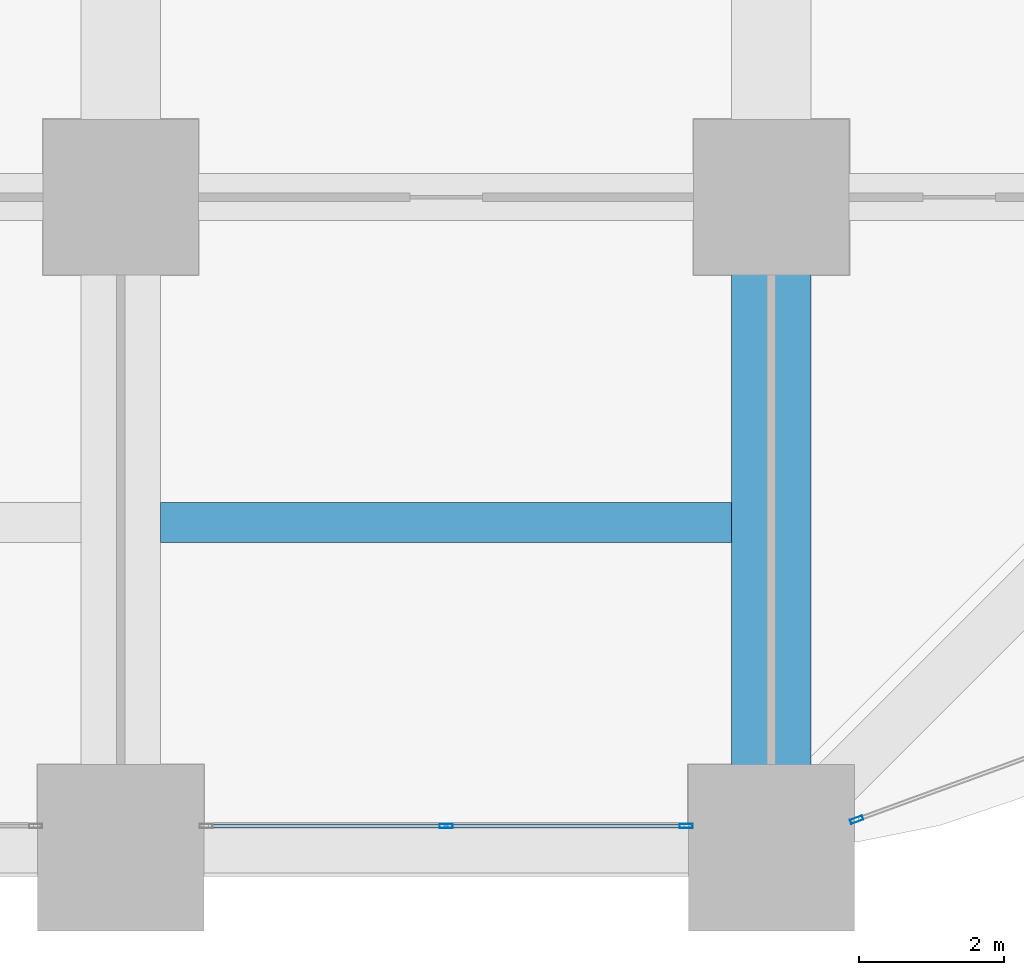
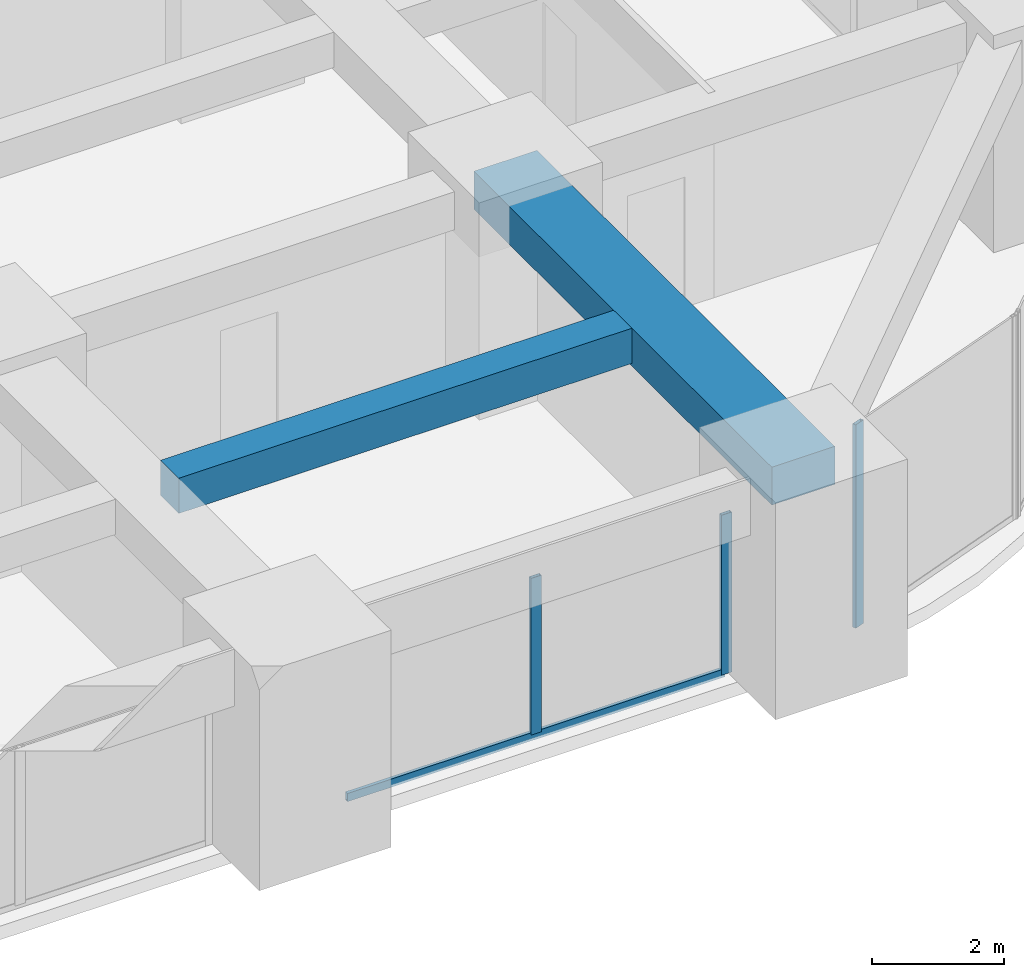
# One storey, part 15 of 44: 4 members, 2 beams, 2 elements without a shape of their own.
"""IFC4 building model written with IfcOpenShell, lengths in metres."""

import ifcopenshell
import ifcopenshell.guid

model = None  # the IFC model being written
_history = None  # IfcOwnerHistory: only IFC2X3 demands one
_inside = {}  # id of a spatial element -> (the spatial element, [elements in it])
_under = {}  # id of a project, library or spatial element -> (it, [spatial elements below it])
_declared = {}  # id of a project -> (the project, [libraries it declares])
_typed = {}  # id of a type object -> (the type object, [elements of that type])
_made_of = {}  # id of a material, layer set ... -> (it, [elements and type objects made of it])


def new_model(schema):
    """Start an empty IFC model of exactly this schema.

    Asked for "IFC4X3", IfcOpenShell would pick the latest addendum, in which some entities
    have other attributes; the version numbers below select the first issue.
    IFC2X3 requires an IfcOwnerHistory on every rooted entity: one is made here for all.
    """
    global model, _history
    if schema == "IFC4X3":
        model = ifcopenshell.file(schema_version=(4, 3, 0, 0))
    else:
        model = ifcopenshell.file(schema=schema)
    _inside.clear()
    _under.clear()
    _declared.clear()
    _typed.clear()
    _made_of.clear()
    _history = None
    if model.schema == "IFC2X3":
        org = make("IfcOrganization", Name="unknown")
        user = make(
            "IfcPersonAndOrganization",
            ThePerson=make("IfcPerson", FamilyName="unknown"),
            TheOrganization=org,
        )
        app = make(
            "IfcApplication",
            ApplicationDeveloper=org,
            Version="unknown",
            ApplicationFullName="unknown",
            ApplicationIdentifier="unknown",
        )
        _history = make(
            "IfcOwnerHistory",
            OwningUser=user,
            OwningApplication=app,
            ChangeAction="ADDED",
            CreationDate=0,
        )
    return model


def make(cls, **values):
    """One entity of the class cls with the attributes given. An attribute that is None is left unset."""
    return model.create_entity(
        cls, **{name: value for name, value in values.items() if value is not None}
    )


def rooted(cls, **values):
    """An entity with a GlobalId (a new one), such as an element, a storey or a relation."""
    return make(cls, GlobalId=ifcopenshell.guid.new(), OwnerHistory=_history, **values)


def si_unit(unit_type, name, prefix=None):
    """IfcSIUnit, for example si_unit("LENGTHUNIT", "METRE", prefix="MILLI")."""
    return make("IfcSIUnit", UnitType=unit_type, Prefix=prefix, Name=name)


def assignment(units):
    """IfcUnitAssignment: the units of a project."""
    return None if units is None else make("IfcUnitAssignment", Units=units)


def point(xyz):
    """IfcCartesianPoint."""
    return None if xyz is None else make("IfcCartesianPoint", Coordinates=xyz)


def direction(xyz):
    """IfcDirection."""
    return None if xyz is None else make("IfcDirection", DirectionRatios=xyz)


def frame(location, z_axis=None, x_axis=None):
    """IfcAxis2Placement3D, a coordinate frame: its origin and axes. An axis left out is left unset."""
    return make(
        "IfcAxis2Placement3D",
        Location=point(location),
        Axis=direction(z_axis),
        RefDirection=direction(x_axis),
    )


def frame_2d(location, x_axis=None):
    """IfcAxis2Placement2D, a coordinate frame in the plane: its origin and x axis."""
    return make(
        "IfcAxis2Placement2D", Location=point(location), RefDirection=direction(x_axis)
    )


def origin():
    """The frame at (0, 0, 0) with its axes left unset."""
    return frame((0.0, 0.0, 0.0))


def origin_2d():
    """The frame at (0, 0) in the plane with its x axis left unset."""
    return frame_2d((0.0, 0.0))


def place(relative_to, where):
    """IfcLocalPlacement: puts the frame where relative to a parent placement (None: the world)."""
    return make(
        "IfcLocalPlacement", PlacementRelTo=relative_to, RelativePlacement=where
    )


def context(
    kind, dimensions, precision=None, world=None, true_north=None, identifier=None
):
    """IfcGeometricRepresentationContext, for example the 3D "Model" context."""
    return make(
        "IfcGeometricRepresentationContext",
        ContextIdentifier=identifier,
        ContextType=kind,
        CoordinateSpaceDimension=dimensions,
        Precision=precision,
        WorldCoordinateSystem=world,
        TrueNorth=true_north,
    )


def subcontext(parent, identifier, kind, view, scale=None):
    """IfcGeometricRepresentationSubContext, for example "Body" below "Model"."""
    return make(
        "IfcGeometricRepresentationSubContext",
        ContextIdentifier=identifier,
        ContextType=kind,
        ParentContext=parent,
        TargetScale=scale,
        TargetView=view,
    )


def project(units=None, contexts=None):
    """IfcProject with its units and contexts."""
    return rooted(
        "IfcProject",
        Name="project",
        RepresentationContexts=contexts,
        UnitsInContext=assignment(units),
    )


def spatial(cls, under=None, at=None, **own):
    """A site, building, storey or space (cls), placed at a placement, below another one or the project."""
    s = rooted(cls, ObjectPlacement=at, **own)
    if under is not None:
        _under.setdefault(under.id(), (under, []))[1].append(s)
    return s


def profile(cls, at=None, kind="AREA", **sizes):
    """A parametric profile (cls). Its sizes go by their IFC names, for example OverallWidth=200.0."""
    return make(cls, ProfileType=kind, Position=at, **sizes)


def rectangle(**sizes):
    """IfcRectangleProfileDef."""
    return profile("IfcRectangleProfileDef", **sizes)


def hollow_rectangle(**sizes):
    """IfcRectangleHollowProfileDef."""
    return profile("IfcRectangleHollowProfileDef", **sizes)


def extrude(swept, where, along, depth):
    """IfcExtrudedAreaSolid: the profile swept, set in the frame where, extruded along a direction by depth."""
    return make(
        "IfcExtrudedAreaSolid",
        SweptArea=swept,
        Position=where,
        ExtrudedDirection=direction(along),
        Depth=depth,
    )


def shape(context_of_items, identifier, shape_type, items):
    """IfcShapeRepresentation: the items that make up one representation, for example the "Body"."""
    return make(
        "IfcShapeRepresentation",
        ContextOfItems=context_of_items,
        RepresentationIdentifier=identifier,
        RepresentationType=shape_type,
        Items=items,
    )


def material(Name=None, Category=None):
    """IfcMaterial."""
    return make("IfcMaterial", Name=Name, Category=Category)


def material_profile(
    of_material, cross_section, Name=None, Category=None, Priority=None
):
    """IfcMaterialProfile: a cross section and its material."""
    return make(
        "IfcMaterialProfile",
        Name=Name,
        Material=of_material,
        Profile=cross_section,
        Priority=Priority,
        Category=Category,
    )


def profile_set(profiles, Name=None, composite=None):
    """IfcMaterialProfileSet."""
    return make(
        "IfcMaterialProfileSet",
        Name=Name,
        MaterialProfiles=profiles,
        CompositeProfile=composite,
    )


def made_of(thing, what):
    """Note that an element or type object is made of a material, layer set ...; save() writes the relation."""
    if what is not None:
        _made_of.setdefault(what.id(), (what, []))[1].append(thing)
    return thing


def type_object(cls, material=None, **own):
    """A type object (cls), such as IfcWallType, which elements share."""
    return made_of(rooted(cls, **own), material)


def element(
    cls,
    number,
    at=None,
    inside=None,
    cuts=None,
    type_object=None,
    material=None,
    context=None,
    identifier="Body",
    shape_type=None,
    held_by="IfcProductDefinitionShape",
    body=None,
    shapes=None,
    **own,
):
    """One element of the class cls, such as IfcWall. Its Tag is "e" and its number.

    at: its placement. inside: the storey or other place that contains it. cuts: it is an
    opening in that element (IfcRelVoidsElement). A single representation is given by context,
    identifier, shape_type and body (its items); several are given by shapes. held_by: the class
    of the entity that holds the representations. save() writes the other relations.
    """
    e = rooted(cls, Tag="e%d" % number, ObjectPlacement=at, **own)
    if body is not None:
        shapes = [shape(context, identifier, shape_type, body)]
    if shapes is not None:
        e.Representation = make(held_by, Representations=shapes)
    if inside is not None:
        _inside.setdefault(inside.id(), (inside, []))[1].append(e)
    if cuts is not None:
        rooted(
            "IfcRelVoidsElement", RelatingBuildingElement=cuts, RelatedOpeningElement=e
        )
    if type_object is not None:
        _typed.setdefault(type_object.id(), (type_object, []))[1].append(e)
    return made_of(e, material)


def aggregate(whole, parts):
    """IfcRelAggregates: a whole, such as a stair, and the parts it consists of."""
    return rooted("IfcRelAggregates", RelatingObject=whole, RelatedObjects=parts)


def save(model, path):
    """Write the relations noted so far, then the file.

    IfcRelAggregates (storeys below a building ...), IfcRelContainedInSpatialStructure (elements
    in a storey), IfcRelDefinesByType, IfcRelAssociatesMaterial and IfcRelDeclares: one each for
    every whole, place, type object, material and project.
    """
    for whole, parts in _under.values():
        aggregate(whole, parts)
    for where, things in _inside.values():
        rooted(
            "IfcRelContainedInSpatialStructure",
            RelatedElements=things,
            RelatingStructure=where,
        )
    for kind, things in _typed.values():
        rooted("IfcRelDefinesByType", RelatedObjects=things, RelatingType=kind)
    for what, things in _made_of.values():
        rooted("IfcRelAssociatesMaterial", RelatedObjects=things, RelatingMaterial=what)
    for by, libraries in _declared.values():
        rooted("IfcRelDeclares", RelatingContext=by, RelatedDefinitions=libraries)
    model.write(path)


model = new_model("IFC4")

# Units and contexts
model_context = context("Model", 3, precision=1e-05, world=origin(), true_north=direction((0.0, 1.0)))
body_context = subcontext(model_context, "Body", "Model", "MODEL_VIEW")
ifc_project = project(units=[si_unit("LENGTHUNIT", "METRE"), si_unit("AREAUNIT", "SQUARE_METRE"), si_unit("VOLUMEUNIT", "CUBIC_METRE"), si_unit("PLANEANGLEUNIT", "RADIAN"), si_unit("MASSUNIT", "GRAM", prefix="KILO")], contexts=[model_context])

# Site, building, storey
site_placement = place(None, origin())
site = spatial("IfcSite", under=ifc_project, at=site_placement, CompositionType="ELEMENT")
building_placement = place(site_placement, origin())
building = spatial("IfcBuilding", under=site, at=building_placement, Name="Zorevar Civic Tower", CompositionType="ELEMENT")
storey_placement = place(building_placement, frame((0.0, 0.0, 55.800048828125)))
storey = spatial("IfcBuildingStorey", under=building, at=storey_placement, Name="L13", CompositionType="ELEMENT", Elevation=55.800048828125)

# Beams
ifc_material_1 = material(Name="Concrete C50/60", Category="concrete")
ifc_material_profile_1 = material_profile(ifc_material_1, rectangle(XDim=1.10009765625, YDim=0.699951171875, at=origin_2d()), Name="RC 1100x700")
ifc_profile_set_1 = profile_set([ifc_material_profile_1], Name="Concrete C50/60")
beam_type_1 = type_object("IfcBeamType", Name="Beam RC 1100x700", PredefinedType="BEAM", material=ifc_profile_set_1)
beam_1_placement = place(storey_placement, frame((54.0, 0.0, 3.39990234375), z_axis=(0.0, 1.0, 0.0), x_axis=(-1.0, 0.0, 0.0)))
element("IfcBeam", 1, at=beam_1_placement, inside=storey, type_object=beam_type_1, Name="Girder L14", PredefinedType="BEAM", context=body_context, shape_type="SweptSolid", body=[
    extrude(rectangle(XDim=1.10009765625, YDim=0.699951171875, at=origin_2d()), origin(), (0.0, 0.0, 1.0), 9.0),
])
ifc_material_2 = material(Name="Concrete C50/60", Category="concrete")
ifc_material_profile_2 = material_profile(ifc_material_2, rectangle(XDim=0.550048828125, YDim=0.64990234375, at=origin_2d()), Name="RC 550x650")
ifc_profile_set_2 = profile_set([ifc_material_profile_2], Name="Concrete C50/60")
beam_type_2 = type_object("IfcBeamType", Name="Beam RC 550x650", PredefinedType="BEAM", material=ifc_profile_set_2)
beam_2_placement = place(storey_placement, frame((45.550048828125, 4.5, 3.425048828125), z_axis=(1.0, 0.0, 0.0), x_axis=(0.0, 1.0, 0.0)))
element("IfcBeam", 2, at=beam_2_placement, inside=storey, type_object=beam_type_2, Name="Secondary beam L14", PredefinedType="BEAM", context=body_context, shape_type="SweptSolid", body=[
    extrude(rectangle(XDim=0.550048828125, YDim=0.64990234375, at=origin_2d()), origin(), (0.0, 0.0, 1.0), 7.89990234375),
])

# Curtain wall, members
ifc_material_3 = material(Name="Dark grey solar-control glass in black aluminium frame", Category="aluminium")
curtain_wall_type = type_object("IfcCurtainWallType", Name="Curtain wall CW2 low zone", PredefinedType="NOTDEFINED", material=ifc_material_3)
curtain_wall_1_placement = place(storey_placement, origin())
curtain_wall_1 = element("IfcCurtainWall", 3, at=curtain_wall_1_placement, inside=storey, type_object=curtain_wall_type, Name="CW2 L13", PredefinedType="NOTDEFINED")
ifc_material_4 = material(Name="Aluminium, black anodised", Category="aluminium")
ifc_material_profile_3 = material_profile(ifc_material_4, hollow_rectangle(XDim=0.06005859375, YDim=0.179931640625, WallThickness=0.00390625, at=origin_2d()), Name="AL 180x60x4")
ifc_profile_set_3 = profile_set([ifc_material_profile_3], Name="Aluminium, black anodised")
member_type_1 = type_object("IfcMemberType", Name="CW2 mullion AL 180x60x4", PredefinedType="MULLION", material=ifc_profile_set_3)
member_1_placement = place(storey_placement, frame((49.5, 0.300048828125, 0.06005859375), z_axis=(0.0, 0.0, 1.0), x_axis=(0.0, 1.0, 0.0)))
member_1 = element("IfcMember", 4, at=member_1_placement, type_object=member_type_1, Name="CW2 mullion 2", PredefinedType="MULLION", context=body_context, shape_type="SweptSolid", body=[
    extrude(hollow_rectangle(XDim=0.06005859375, YDim=0.179931640625, WallThickness=0.00390625, at=origin_2d()), origin(), (0.0, 0.0, 1.0), 2.889892578125),
])
member_2_placement = place(storey_placement, frame((52.820068359375, 0.300048828125, 0.0), z_axis=(0.0, 0.0, 1.0), x_axis=(0.0, 1.0, 0.0)))
member_2 = element("IfcMember", 5, at=member_2_placement, type_object=member_type_1, Name="CW2 mullion 3", PredefinedType="MULLION", context=body_context, shape_type="SweptSolid", body=[
    extrude(hollow_rectangle(XDim=0.06005859375, YDim=0.179931640625, WallThickness=0.00390625, at=origin_2d()), origin(), (0.0, 0.0, 1.0), 2.949951171875),
])

# Curtain wall, member
curtain_wall_2_placement = place(storey_placement, origin())
curtain_wall_2 = element("IfcCurtainWall", 6, at=curtain_wall_2_placement, inside=storey, type_object=curtain_wall_type, Name="CW2 L13", PredefinedType="NOTDEFINED")
member_3_placement = place(storey_placement, frame((55.17822265625, 0.38671875, 0.0), z_axis=(0.0, 0.0, 1.0), x_axis=(-0.343060400701, 0.939313345732, 0.0)))
member_3 = element("IfcMember", 7, at=member_3_placement, type_object=member_type_1, Name="CW2 mullion 1", PredefinedType="MULLION", context=body_context, shape_type="SweptSolid", body=[
    extrude(hollow_rectangle(XDim=0.06005859375, YDim=0.179931640625, WallThickness=0.00390625, at=origin_2d()), origin(), (0.0, 0.0, 1.0), 3.75),
])
aggregate(curtain_wall_2, [member_3])

# Member
ifc_material_5 = material(Name="Aluminium, black anodised", Category="aluminium")
ifc_material_profile_4 = material_profile(ifc_material_5, hollow_rectangle(XDim=0.06005859375, YDim=0.14990234375, WallThickness=0.00390625, at=origin_2d()), Name="AL 150x60x4")
ifc_profile_set_4 = profile_set([ifc_material_profile_4], Name="Aluminium, black anodised")
member_type_2 = type_object("IfcMemberType", Name="CW2 transom AL 150x60x4", PredefinedType="USERDEFINED", material=ifc_profile_set_4)
member_4_placement = place(storey_placement, frame((46.2099609375, 0.300048828125, 0.030029296875), z_axis=(1.0, 0.0, 0.0), x_axis=(0.0, 1.0, 0.0)))
member_4 = element("IfcMember", 8, at=member_4_placement, type_object=member_type_2, Name="CW2 sill transom", ObjectType="TRANSOM", PredefinedType="USERDEFINED", context=body_context, shape_type="SweptSolid", body=[
    extrude(hollow_rectangle(XDim=0.06005859375, YDim=0.14990234375, WallThickness=0.00390625, at=origin_2d()), origin(), (0.0, 0.0, 1.0), 6.580078125),
])

aggregate(curtain_wall_1, [member_1, member_2, member_4])

save(model, "model.ifc")
